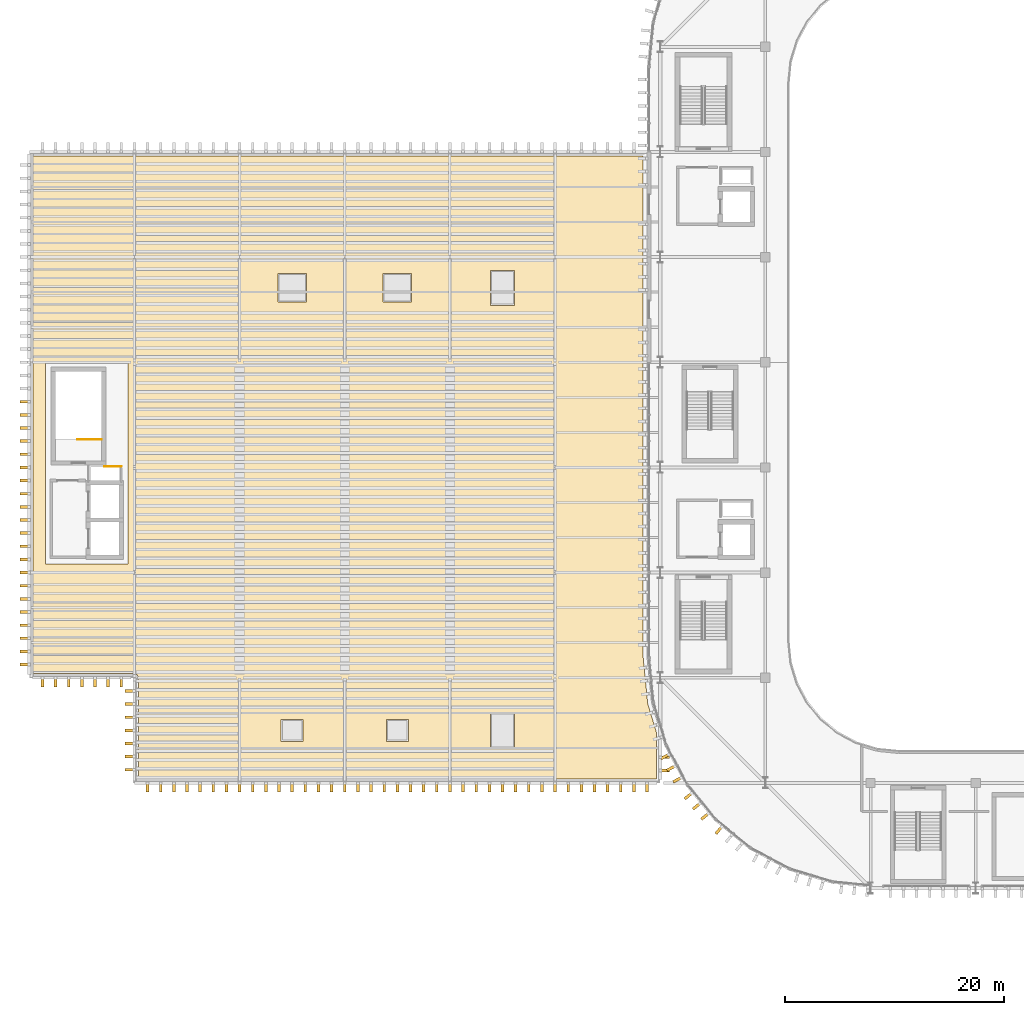
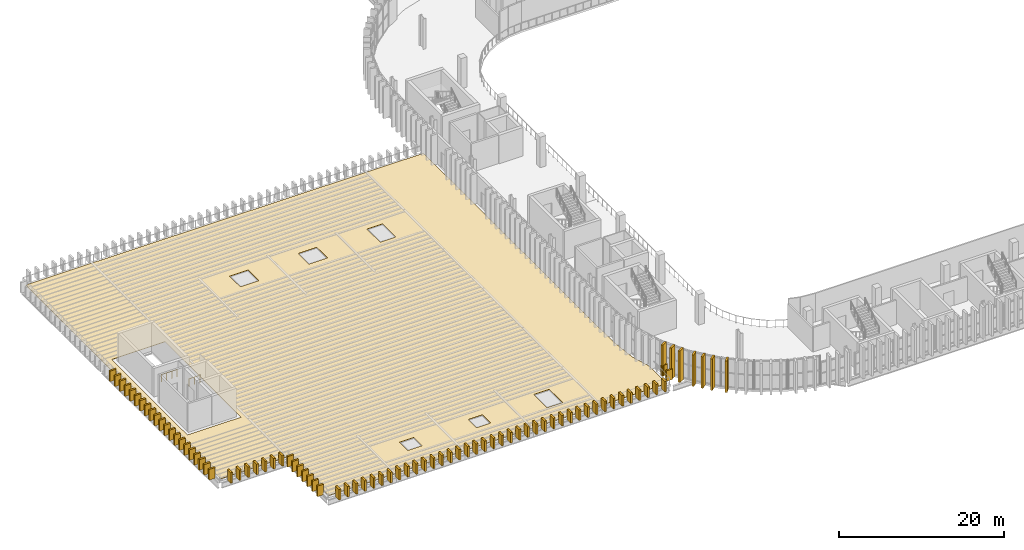
# One storey, part 73 of 92: 84 coverings, 2 railings.
"""IFC4 building model written with IfcOpenShell, lengths in metres."""

from ifc_helpers import new_model, si_unit, direction, frame, origin, origin_2d, place, context, subcontext, project, spatial, polyline, rectangle, circle, outline, extrude, material, layer, layer_set, material_profile, profile_set, type_object, element, save


model = new_model("IFC4")

# Units and contexts
model_context = context("Model", 3, precision=1e-05, world=origin(), true_north=direction((0.0, 1.0)))
body_context = subcontext(model_context, "Body", "Model", "MODEL_VIEW")
ifc_project = project(units=[si_unit("LENGTHUNIT", "METRE"), si_unit("AREAUNIT", "SQUARE_METRE"), si_unit("VOLUMEUNIT", "CUBIC_METRE"), si_unit("PLANEANGLEUNIT", "RADIAN"), si_unit("MASSUNIT", "GRAM", prefix="KILO")], contexts=[model_context])

# Site, building, storey
site_placement = place(None, origin())
site = spatial("IfcSite", under=ifc_project, at=site_placement, CompositionType="ELEMENT")
building_placement = place(site_placement, origin())
building = spatial("IfcBuilding", under=site, at=building_placement, Name="Caelomonte Colonnade Arena", CompositionType="ELEMENT")
storey_placement = place(building_placement, frame((0.0, 0.0, 9.60009765625)))
storey = spatial("IfcBuildingStorey", under=building, at=storey_placement, Name="L02", CompositionType="ELEMENT", Elevation=9.60009765625)

# Coverings
ifc_material_1 = material(Name="Vegetated planted lawn roof substrate")
ifc_layer = layer(ifc_material_1, 0.050048828125)
ifc_layer_set = layer_set([ifc_layer], Name="Vegetated planted lawn roof substrate")
covering_type_1 = type_object("IfcCoveringType", Name="ENV-CV-LAWN1", PredefinedType="ROOFING", material=ifc_layer_set)
covering_placement = place(storey_placement, origin())
element("IfcCovering", 1, at=covering_placement, inside=storey, type_object=covering_type_1, Name="Volume 5 vegetated planted lawn roof covering", PredefinedType="ROOFING", context=body_context, shape_type="SweptSolid", body=[
    extrude(outline(polyline([(56.050048828125, 86.050048828125), (0.35009765625, 86.050048828125), (0.35009765625, 38.75), (9.60009765625, 38.75), (9.63427734375, 38.748291015625), (9.668212890625, 38.743408203125), (9.70166015625, 38.73486328125), (9.73388671875, 38.723388671875), (9.764892578125, 38.708740234375), (9.79443359375, 38.69091796875), (9.822021484375, 38.670654296875), (9.847412109375, 38.6474609375), (9.87060546875, 38.6220703125), (9.89111328125, 38.594482421875), (9.90869140625, 38.56494140625), (9.92333984375, 38.533935546875), (9.934814453125, 38.501708984375), (9.943359375, 38.46826171875), (9.9482421875, 38.434326171875), (9.949951171875, 38.39990234375), (9.949951171875, 29.14990234375), (57.25, 29.14990234375), (57.25, 33.42529296875), (56.468505859375, 36.00146484375), (56.460205078125, 36.034912109375), (56.455078125, 36.06884765625), (56.0517578125, 40.165771484375), (56.050048828125, 40.199951171875), (56.050048828125, 86.050048828125)]), holes=[polyline([(23.0, 32.60009765625), (23.0, 34.60009765625), (25.0, 34.60009765625), (25.0, 32.60009765625), (23.0, 32.60009765625)]), polyline([(32.60009765625, 32.60009765625), (32.60009765625, 34.60009765625), (34.60009765625, 34.60009765625), (34.60009765625, 32.60009765625), (32.60009765625, 32.60009765625)]), polyline([(42.10009765625, 32.0), (42.10009765625, 35.199951171875), (44.300048828125, 35.199951171875), (44.300048828125, 32.0), (42.10009765625, 32.0)]), polyline([(1.5, 48.800048828125), (1.5, 67.199951171875), (9.0, 67.199951171875), (9.0, 48.800048828125), (1.5, 48.800048828125)]), polyline([(22.699951171875, 72.699951171875), (22.699951171875, 75.300048828125), (25.300048828125, 75.300048828125), (25.300048828125, 72.699951171875), (22.699951171875, 72.699951171875)]), polyline([(32.300048828125, 72.699951171875), (32.300048828125, 75.300048828125), (34.89990234375, 75.300048828125), (34.89990234375, 72.699951171875), (32.300048828125, 72.699951171875)]), polyline([(42.10009765625, 72.39990234375), (42.10009765625, 75.60009765625), (44.300048828125, 75.60009765625), (44.300048828125, 72.39990234375), (42.10009765625, 72.39990234375)])]), origin(), (0.0, 0.0, 1.0), 0.0498046875),
])
ifc_material_2 = material(Name="Precast travertine cladding", Category="masonry")
ifc_material_profile = material_profile(ifc_material_2, rectangle(XDim=0.260009765625, YDim=0.85009765625, at=origin_2d()), Name="FIN260X850")
ifc_profile_set = profile_set([ifc_material_profile], Name="Precast travertine cladding")
covering_type_2 = type_object("IfcCoveringType", Name="ENV-FN-SHAFT", PredefinedType="CLADDING", material=ifc_profile_set)
for number, where, z_axis, x_axis, name in (
    (2, (58.03173828125, 31.2080078125, -0.16015625), (0.0, 0.0, 1.0), (-0.471396736826, 0.881921264348, 0.0), "V1 L02 classical travertine vertical fin 221"),
    (3, (58.597412109375, 30.14990234375, -0.16015625), (0.0, 0.0, 1.0), (-0.471396736826, 0.881921264348, 0.0), "V1 L02 classical travertine vertical fin 222"),
    (4, (59.1630859375, 29.091552734375, -0.16015625), (0.0, 0.0, 1.0), (-0.471396736826, 0.881921264348, 0.0), "V1 L02 classical travertine vertical fin 223"),
    (5, (60.158203125, 27.602294921875, -0.16015625), (0.0, 0.0, 1.0), (-0.634413521313, 0.77299384472, 0.0), "V1 L02 classical travertine vertical fin 224"),
    (6, (60.91943359375, 26.6748046875, -0.16015625), (0.0, 0.0, 1.0), (-0.634413521313, 0.77299384472, 0.0), "V1 L02 classical travertine vertical fin 225"),
    (7, (61.680908203125, 25.747314453125, -0.16015625), (0.0, 0.0, 1.0), (-0.634413521313, 0.77299384472, 0.0), "V1 L02 classical travertine vertical fin 226"),
    (8, (62.947265625, 24.480712890625, -0.16015625), (0.0, 0.0, 1.0), (-0.77299384472, 0.634413521313, 0.0), "V1 L02 classical travertine vertical fin 227"),
):
    element("IfcCovering", number, at=place(storey_placement, frame(where, z_axis=z_axis, x_axis=x_axis)), inside=storey, type_object=covering_type_2, Name=name, PredefinedType="CLADDING", context=body_context, shape_type="SweptSolid", body=[
        extrude(rectangle(XDim=0.260009765625, YDim=0.85009765625, at=origin_2d()), origin(), (0.0, 0.0, 1.0), 4.66015625),
    ])
for number, where, z_axis, x_axis, name in (
    (9, (-0.4208984375, 63.60009765625, -0.16015625), (0.0, 0.0, 1.0), (0.0, 1.0, 0.0), "V5 L02 classical travertine vertical fin 19"),
    (10, (-0.4208984375, 62.39990234375, -0.16015625), (0.0, 0.0, 1.0), (0.0, 1.0, 0.0), "V5 L02 classical travertine vertical fin 20"),
    (11, (-0.4208984375, 61.199951171875, -0.16015625), (0.0, 0.0, 1.0), (0.0, 1.0, 0.0), "V5 L02 classical travertine vertical fin 21"),
    (12, (-0.4208984375, 60.0, -0.16015625), (0.0, 0.0, 1.0), (0.0, 1.0, 0.0), "V5 L02 classical travertine vertical fin 22"),
    (13, (-0.4208984375, 58.800048828125, -0.16015625), (0.0, 0.0, 1.0), (0.0, 1.0, 0.0), "V5 L02 classical travertine vertical fin 23"),
    (14, (-0.4208984375, 57.60009765625, -0.16015625), (0.0, 0.0, 1.0), (0.0, 1.0, 0.0), "V5 L02 classical travertine vertical fin 24"),
    (15, (-0.4208984375, 56.39990234375, -0.16015625), (0.0, 0.0, 1.0), (0.0, 1.0, 0.0), "V5 L02 classical travertine vertical fin 25"),
    (16, (-0.4208984375, 55.199951171875, -0.16015625), (0.0, 0.0, 1.0), (0.0, 1.0, 0.0), "V5 L02 classical travertine vertical fin 26"),
    (17, (-0.4208984375, 54.0, -0.16015625), (0.0, 0.0, 1.0), (0.0, 1.0, 0.0), "V5 L02 classical travertine vertical fin 27"),
    (18, (-0.4208984375, 52.800048828125, -0.16015625), (0.0, 0.0, 1.0), (0.0, 1.0, 0.0), "V5 L02 classical travertine vertical fin 28"),
    (19, (-0.4208984375, 51.60009765625, -0.16015625), (0.0, 0.0, 1.0), (0.0, 1.0, 0.0), "V5 L02 classical travertine vertical fin 29"),
    (20, (-0.4208984375, 50.39990234375, -0.16015625), (0.0, 0.0, 1.0), (0.0, 1.0, 0.0), "V5 L02 classical travertine vertical fin 30"),
    (21, (-0.4208984375, 49.199951171875, -0.16015625), (0.0, 0.0, 1.0), (0.0, 1.0, 0.0), "V5 L02 classical travertine vertical fin 31"),
    (22, (-0.4208984375, 48.0, -0.16015625), (0.0, 0.0, 1.0), (0.0, 1.0, 0.0), "V5 L02 classical travertine vertical fin 32"),
    (23, (-0.4208984375, 46.800048828125, -0.16015625), (0.0, 0.0, 1.0), (0.0, 1.0, 0.0), "V5 L02 classical travertine vertical fin 33"),
    (24, (-0.4208984375, 45.60009765625, -0.16015625), (0.0, 0.0, 1.0), (0.0, 1.0, 0.0), "V5 L02 classical travertine vertical fin 34"),
    (25, (-0.4208984375, 44.39990234375, -0.16015625), (0.0, 0.0, 1.0), (0.0, 1.0, 0.0), "V5 L02 classical travertine vertical fin 35"),
    (26, (-0.4208984375, 43.199951171875, -0.16015625), (0.0, 0.0, 1.0), (0.0, 1.0, 0.0), "V5 L02 classical travertine vertical fin 36"),
    (27, (-0.4208984375, 42.0, -0.16015625), (0.0, 0.0, 1.0), (0.0, 1.0, 0.0), "V5 L02 classical travertine vertical fin 37"),
    (28, (-0.4208984375, 40.800048828125, -0.16015625), (0.0, 0.0, 1.0), (0.0, 1.0, 0.0), "V5 L02 classical travertine vertical fin 38"),
    (29, (-0.4208984375, 39.60009765625, -0.16015625), (0.0, 0.0, 1.0), (0.0, 1.0, 0.0), "V5 L02 classical travertine vertical fin 39"),
    (30, (1.199951171875, 37.97900390625, -0.16015625), (0.0, 0.0, 1.0), (-1.0, 0.0, 0.0), "V5 L02 classical travertine vertical fin 40"),
    (31, (2.39990234375, 37.97900390625, -0.16015625), (0.0, 0.0, 1.0), (-1.0, 0.0, 0.0), "V5 L02 classical travertine vertical fin 41"),
    (32, (3.60009765625, 37.97900390625, -0.16015625), (0.0, 0.0, 1.0), (-1.0, 0.0, 0.0), "V5 L02 classical travertine vertical fin 42"),
    (33, (4.800048828125, 37.97900390625, -0.16015625), (0.0, 0.0, 1.0), (-1.0, 0.0, 0.0), "V5 L02 classical travertine vertical fin 43"),
    (34, (6.0, 37.97900390625, -0.16015625), (0.0, 0.0, 1.0), (-1.0, 0.0, 0.0), "V5 L02 classical travertine vertical fin 44"),
    (35, (7.199951171875, 37.97900390625, -0.16015625), (0.0, 0.0, 1.0), (-1.0, 0.0, 0.0), "V5 L02 classical travertine vertical fin 45"),
    (36, (8.39990234375, 37.97900390625, -0.16015625), (0.0, 0.0, 1.0), (-1.0, 0.0, 0.0), "V5 L02 classical travertine vertical fin 46"),
    (37, (9.178955078125, 37.199951171875, -0.16015625), (0.0, 0.0, 1.0), (0.0, 1.0, 0.0), "V5 L02 classical travertine vertical fin 47"),
    (38, (9.178955078125, 36.0, -0.16015625), (0.0, 0.0, 1.0), (0.0, 1.0, 0.0), "V5 L02 classical travertine vertical fin 48"),
    (39, (9.178955078125, 34.800048828125, -0.16015625), (0.0, 0.0, 1.0), (0.0, 1.0, 0.0), "V5 L02 classical travertine vertical fin 49"),
    (40, (9.178955078125, 33.60009765625, -0.16015625), (0.0, 0.0, 1.0), (0.0, 1.0, 0.0), "V5 L02 classical travertine vertical fin 50"),
    (41, (9.178955078125, 32.39990234375, -0.16015625), (0.0, 0.0, 1.0), (0.0, 1.0, 0.0), "V5 L02 classical travertine vertical fin 51"),
    (42, (9.178955078125, 31.199951171875, -0.16015625), (0.0, 0.0, 1.0), (0.0, 1.0, 0.0), "V5 L02 classical travertine vertical fin 52"),
    (43, (9.178955078125, 30.0, -0.16015625), (0.0, 0.0, 1.0), (0.0, 1.0, 0.0), "V5 L02 classical travertine vertical fin 53"),
    (44, (10.800048828125, 28.37890625, -0.16015625), (0.0, 0.0, 1.0), (-1.0, 0.0, 0.0), "V5 L02 classical travertine vertical fin 54"),
    (45, (12.0, 28.37890625, -0.16015625), (0.0, 0.0, 1.0), (-1.0, 0.0, 0.0), "V5 L02 classical travertine vertical fin 55"),
    (46, (13.199951171875, 28.37890625, -0.16015625), (0.0, 0.0, 1.0), (-1.0, 0.0, 0.0), "V5 L02 classical travertine vertical fin 56"),
    (47, (14.39990234375, 28.37890625, -0.16015625), (0.0, 0.0, 1.0), (-1.0, 0.0, 0.0), "V5 L02 classical travertine vertical fin 57"),
    (48, (15.60009765625, 28.37890625, -0.16015625), (0.0, 0.0, 1.0), (-1.0, 0.0, 0.0), "V5 L02 classical travertine vertical fin 58"),
    (49, (16.800048828125, 28.37890625, -0.16015625), (0.0, 0.0, 1.0), (-1.0, 0.0, 0.0), "V5 L02 classical travertine vertical fin 59"),
    (50, (18.0, 28.37890625, -0.16015625), (0.0, 0.0, 1.0), (-1.0, 0.0, 0.0), "V5 L02 classical travertine vertical fin 60"),
    (51, (19.199951171875, 28.37890625, -0.16015625), (0.0, 0.0, 1.0), (-1.0, 0.0, 0.0), "V5 L02 classical travertine vertical fin 61"),
    (52, (20.39990234375, 28.37890625, -0.16015625), (0.0, 0.0, 1.0), (-1.0, 0.0, 0.0), "V5 L02 classical travertine vertical fin 62"),
    (53, (21.60009765625, 28.37890625, -0.16015625), (0.0, 0.0, 1.0), (-1.0, 0.0, 0.0), "V5 L02 classical travertine vertical fin 63"),
    (54, (22.800048828125, 28.37890625, -0.16015625), (0.0, 0.0, 1.0), (-1.0, 0.0, 0.0), "V5 L02 classical travertine vertical fin 64"),
    (55, (24.0, 28.37890625, -0.16015625), (0.0, 0.0, 1.0), (-1.0, 0.0, 0.0), "V5 L02 classical travertine vertical fin 65"),
    (56, (25.199951171875, 28.37890625, -0.16015625), (0.0, 0.0, 1.0), (-1.0, 0.0, 0.0), "V5 L02 classical travertine vertical fin 66"),
    (57, (26.39990234375, 28.37890625, -0.16015625), (0.0, 0.0, 1.0), (-1.0, 0.0, 0.0), "V5 L02 classical travertine vertical fin 67"),
    (58, (27.60009765625, 28.37890625, -0.16015625), (0.0, 0.0, 1.0), (-1.0, 0.0, 0.0), "V5 L02 classical travertine vertical fin 68"),
    (59, (28.800048828125, 28.37890625, -0.16015625), (0.0, 0.0, 1.0), (-1.0, 0.0, 0.0), "V5 L02 classical travertine vertical fin 69"),
    (60, (30.0, 28.37890625, -0.16015625), (0.0, 0.0, 1.0), (-1.0, 0.0, 0.0), "V5 L02 classical travertine vertical fin 70"),
    (61, (31.199951171875, 28.37890625, -0.16015625), (0.0, 0.0, 1.0), (-1.0, 0.0, 0.0), "V5 L02 classical travertine vertical fin 71"),
    (62, (32.39990234375, 28.37890625, -0.16015625), (0.0, 0.0, 1.0), (-1.0, 0.0, 0.0), "V5 L02 classical travertine vertical fin 72"),
    (63, (33.60009765625, 28.37890625, -0.16015625), (0.0, 0.0, 1.0), (-1.0, 0.0, 0.0), "V5 L02 classical travertine vertical fin 73"),
    (64, (34.800048828125, 28.37890625, -0.16015625), (0.0, 0.0, 1.0), (-1.0, 0.0, 0.0), "V5 L02 classical travertine vertical fin 74"),
    (65, (36.0, 28.37890625, -0.16015625), (0.0, 0.0, 1.0), (-1.0, 0.0, 0.0), "V5 L02 classical travertine vertical fin 75"),
    (66, (37.199951171875, 28.37890625, -0.16015625), (0.0, 0.0, 1.0), (-1.0, 0.0, 0.0), "V5 L02 classical travertine vertical fin 76"),
    (67, (38.39990234375, 28.37890625, -0.16015625), (0.0, 0.0, 1.0), (-1.0, 0.0, 0.0), "V5 L02 classical travertine vertical fin 77"),
    (68, (39.60009765625, 28.37890625, -0.16015625), (0.0, 0.0, 1.0), (-1.0, 0.0, 0.0), "V5 L02 classical travertine vertical fin 78"),
    (69, (40.800048828125, 28.37890625, -0.16015625), (0.0, 0.0, 1.0), (-1.0, 0.0, 0.0), "V5 L02 classical travertine vertical fin 79"),
    (70, (42.0, 28.37890625, -0.16015625), (0.0, 0.0, 1.0), (-1.0, 0.0, 0.0), "V5 L02 classical travertine vertical fin 80"),
    (71, (43.199951171875, 28.37890625, -0.16015625), (0.0, 0.0, 1.0), (-1.0, 0.0, 0.0), "V5 L02 classical travertine vertical fin 81"),
    (72, (44.39990234375, 28.37890625, -0.16015625), (0.0, 0.0, 1.0), (-1.0, 0.0, 0.0), "V5 L02 classical travertine vertical fin 82"),
    (73, (45.60009765625, 28.37890625, -0.16015625), (0.0, 0.0, 1.0), (-1.0, 0.0, 0.0), "V5 L02 classical travertine vertical fin 83"),
    (74, (46.800048828125, 28.37890625, -0.16015625), (0.0, 0.0, 1.0), (-1.0, 0.0, 0.0), "V5 L02 classical travertine vertical fin 84"),
    (75, (48.0, 28.37890625, -0.16015625), (0.0, 0.0, 1.0), (-1.0, 0.0, 0.0), "V5 L02 classical travertine vertical fin 85"),
    (76, (49.199951171875, 28.37890625, -0.16015625), (0.0, 0.0, 1.0), (-1.0, 0.0, 0.0), "V5 L02 classical travertine vertical fin 86"),
    (77, (50.39990234375, 28.37890625, -0.16015625), (0.0, 0.0, 1.0), (-1.0, 0.0, 0.0), "V5 L02 classical travertine vertical fin 87"),
    (78, (51.60009765625, 28.37890625, -0.16015625), (0.0, 0.0, 1.0), (-1.0, 0.0, 0.0), "V5 L02 classical travertine vertical fin 88"),
    (79, (52.800048828125, 28.37890625, -0.16015625), (0.0, 0.0, 1.0), (-1.0, 0.0, 0.0), "V5 L02 classical travertine vertical fin 89"),
    (80, (54.0, 28.37890625, -0.16015625), (0.0, 0.0, 1.0), (-1.0, 0.0, 0.0), "V5 L02 classical travertine vertical fin 90"),
    (81, (55.199951171875, 28.37890625, -0.16015625), (0.0, 0.0, 1.0), (-1.0, 0.0, 0.0), "V5 L02 classical travertine vertical fin 91"),
    (82, (56.39990234375, 28.37890625, -0.16015625), (0.0, 0.0, 1.0), (-1.0, 0.0, 0.0), "V5 L02 classical travertine vertical fin 92"),
    (83, (58.02099609375, 29.938720703125, -0.16015625), (0.0, 0.0, 1.0), (0.0, -1.0, 0.0), "V5 L02 classical travertine vertical fin 93"),
    (84, (58.02099609375, 31.138671875, -0.16015625), (0.0, 0.0, 1.0), (0.0, -1.0, 0.0), "V5 L02 classical travertine vertical fin 94"),
):
    element("IfcCovering", number, at=place(storey_placement, frame(where, z_axis=z_axis, x_axis=x_axis)), inside=storey, type_object=covering_type_2, Name=name, PredefinedType="CLADDING", context=body_context, shape_type="SweptSolid", body=[
        extrude(rectangle(XDim=0.260009765625, YDim=0.85009765625, at=origin_2d()), origin(), (0.0, 0.0, 1.0), 1.56005859375),
    ])

# Railings
ifc_material_3 = material(Name="Painted galvanized steel stair guard", Category="steel")
railing_type = type_object("IfcRailingType", Name="INT-RL-GRD", PredefinedType="GUARDRAIL", material=ifc_material_3)
railing_1_placement = place(storey_placement, frame((6.60009765625, 60.14990234375, 0.0)))
element("IfcRailing", 85, at=railing_1_placement, inside=storey, type_object=railing_type, Name="L02 ST-08 top well guard 1", PredefinedType="GUARDRAIL", context=body_context, shape_type="SweptSolid", body=[
    extrude(circle(Radius=0.02392578125, at=origin_2d()), frame((0.0, 0.0, 1.076171875), z_axis=(-1.0, 0.0, 0.0), x_axis=(0.0, -1.0, 0.0)), (0.0, 0.0, 1.0), 2.2001953125),
    extrude(circle(Radius=0.02099609375, at=origin_2d()), origin(), (0.0, 0.0, 1.0), 1.048095703125),
    extrude(circle(Radius=0.02099609375, at=origin_2d()), frame((-0.7333984375, 0.0, 0.0)), (0.0, 0.0, 1.0), 1.048095703125),
    extrude(circle(Radius=0.02099609375, at=origin_2d()), frame((-1.466796875, 0.0, 0.0)), (0.0, 0.0, 1.0), 1.048095703125),
    extrude(circle(Radius=0.02099609375, at=origin_2d()), frame((-2.2001953125, 0.0, 0.0)), (0.0, 0.0, 1.0), 1.048095703125),
])
railing_2_placement = place(storey_placement, frame((6.85009765625, 57.699951171875, 0.0)))
element("IfcRailing", 86, at=railing_2_placement, inside=storey, type_object=railing_type, Name="Core C8 L02 riser opening guard", PredefinedType="GUARDRAIL", context=body_context, shape_type="SweptSolid", body=[
    extrude(circle(Radius=0.02392578125, at=origin_2d()), frame((0.0, 0.0, 1.076171875), z_axis=(1.0, 0.0, 0.0), x_axis=(0.0, 1.0, 0.0)), (0.0, 0.0, 1.0), 1.5498046875),
    extrude(circle(Radius=0.02099609375, at=origin_2d()), origin(), (0.0, 0.0, 1.0), 1.048095703125),
    extrude(circle(Radius=0.02099609375, at=origin_2d()), frame((0.77490234375, 0.0, 0.0)), (0.0, 0.0, 1.0), 1.048095703125),
    extrude(circle(Radius=0.02099609375, at=origin_2d()), frame((1.5498046875, 0.0, 0.0)), (0.0, 0.0, 1.0), 1.048095703125),
])

save(model, "model.ifc")
